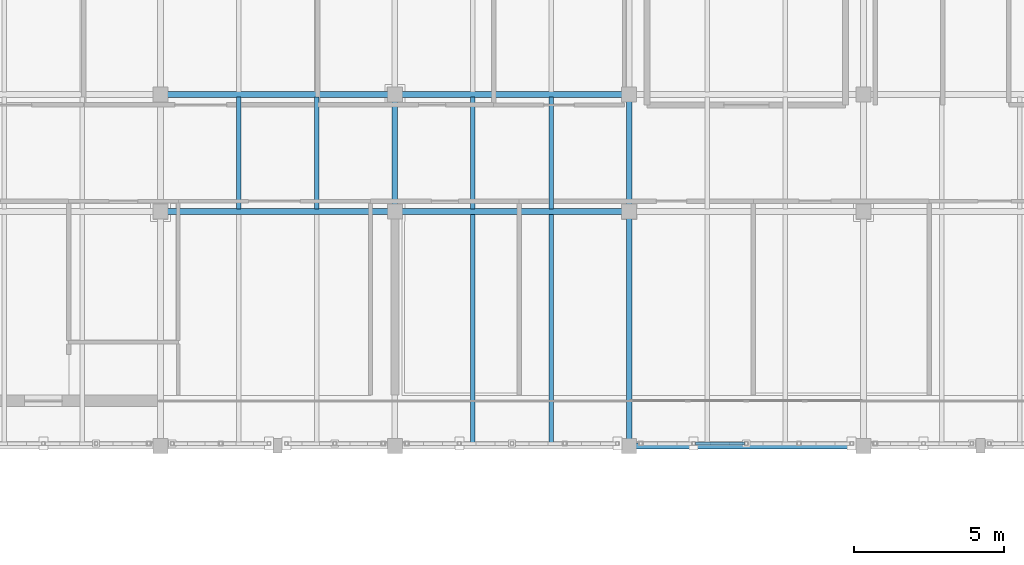
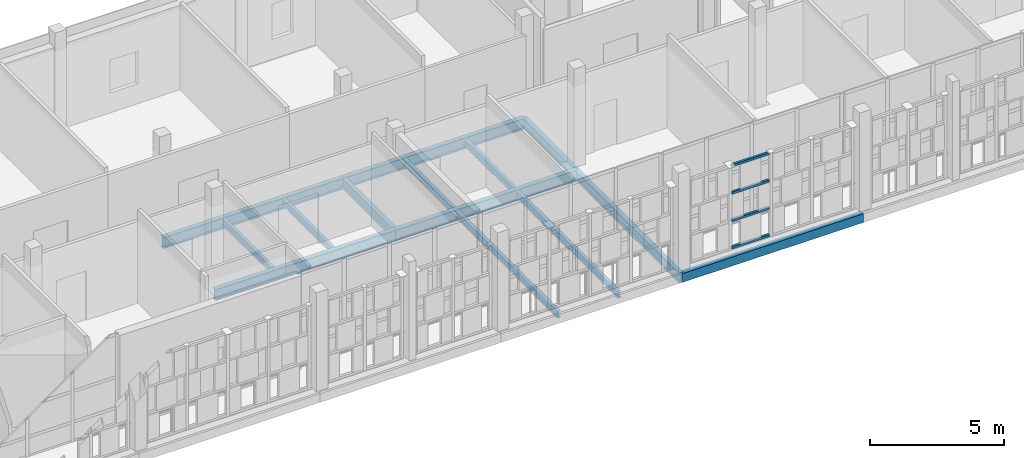
# One storey, part 40 of 89: 14 beams, 4 members.
"""IFC4 building model written with IfcOpenShell, lengths in metres."""

from ifc_helpers import new_model, si_unit, direction, frame, origin, origin_2d, place, context, subcontext, project, spatial, hollow_rectangle, i_section, extrude, material, material_profile, profile_set, type_object, element, save


model = new_model("IFC4")

# Units and contexts
model_context = context("Model", 3, precision=1e-05, world=origin(), true_north=direction((0.0, 1.0)))
body_context = subcontext(model_context, "Body", "Model", "MODEL_VIEW")
ifc_project = project(units=[si_unit("LENGTHUNIT", "METRE"), si_unit("AREAUNIT", "SQUARE_METRE"), si_unit("VOLUMEUNIT", "CUBIC_METRE"), si_unit("PLANEANGLEUNIT", "RADIAN"), si_unit("MASSUNIT", "GRAM", prefix="KILO")], contexts=[model_context])

# Site, building, storey
site_placement = place(None, origin())
site = spatial("IfcSite", under=ifc_project, at=site_placement, CompositionType="ELEMENT")
building_placement = place(site_placement, origin())
building = spatial("IfcBuilding", under=site, at=building_placement, Name="Celorna Specialist Clinic", CompositionType="ELEMENT")
storey_placement = place(building_placement, frame((0.0, 0.0, 14.10009765625)))
storey = spatial("IfcBuildingStorey", under=building, at=storey_placement, Name="L03", CompositionType="ELEMENT", Elevation=14.10009765625)

# Beams
ifc_material = material(Name="Steel S355", Category="steel")
ifc_material_profile_1 = material_profile(ifc_material, i_section(OverallWidth=0.199951171875, OverallDepth=0.5, WebThickness=0.01025390625, FlangeThickness=0.01611328125, at=origin_2d()), Name="IPE 500")
ifc_profile_set_1 = profile_set([ifc_material_profile_1], Name="Steel S355")
beam_type_1 = type_object("IfcBeamType", Name="BM-08", PredefinedType="BEAM", material=ifc_profile_set_1)
beam_1_placement = place(storey_placement, frame((93.60009765625, 104.300048828125, -0.510009765625), z_axis=(1.0, 0.0, 0.0), x_axis=(0.0, 1.0, 0.0)))
element("IfcBeam", 1, at=beam_1_placement, inside=storey, type_object=beam_type_1, Name="Primary girder BM-08 #1218", PredefinedType="BEAM", context=body_context, shape_type="SweptSolid", body=[
    extrude(i_section(OverallWidth=0.199951171875, OverallDepth=0.5, WebThickness=0.01025390625, FlangeThickness=0.01611328125, at=origin_2d()), origin(), (0.0, 0.0, 1.0), 7.7998046875),
])
beam_2_placement = place(storey_placement, frame((101.39990234375, 104.300048828125, -0.510009765625), z_axis=(1.0, 0.0, 0.0), x_axis=(0.0, 1.0, 0.0)))
element("IfcBeam", 2, at=beam_2_placement, inside=storey, type_object=beam_type_1, Name="Primary girder BM-08 #1219", PredefinedType="BEAM", context=body_context, shape_type="SweptSolid", body=[
    extrude(i_section(OverallWidth=0.199951171875, OverallDepth=0.5, WebThickness=0.01025390625, FlangeThickness=0.01611328125, at=origin_2d()), origin(), (0.0, 0.0, 1.0), 7.800048828125),
])
beam_3_placement = place(storey_placement, frame((93.60009765625, 108.199951171875, -0.510009765625), z_axis=(1.0, 0.0, 0.0), x_axis=(0.0, 1.0, 0.0)))
element("IfcBeam", 3, at=beam_3_placement, inside=storey, type_object=beam_type_1, Name="Primary girder BM-08 #1229", PredefinedType="BEAM", context=body_context, shape_type="SweptSolid", body=[
    extrude(i_section(OverallWidth=0.199951171875, OverallDepth=0.5, WebThickness=0.01025390625, FlangeThickness=0.01611328125, at=origin_2d()), origin(), (0.0, 0.0, 1.0), 7.7998046875),
])
beam_4_placement = place(storey_placement, frame((101.39990234375, 108.199951171875, -0.510009765625), z_axis=(1.0, 0.0, 0.0), x_axis=(0.0, 1.0, 0.0)))
element("IfcBeam", 4, at=beam_4_placement, inside=storey, type_object=beam_type_1, Name="Primary girder BM-08 #1230", PredefinedType="BEAM", context=body_context, shape_type="SweptSolid", body=[
    extrude(i_section(OverallWidth=0.199951171875, OverallDepth=0.5, WebThickness=0.01025390625, FlangeThickness=0.01611328125, at=origin_2d()), origin(), (0.0, 0.0, 1.0), 7.800048828125),
])
ifc_material_profile_2 = material_profile(ifc_material, i_section(OverallWidth=0.18994140625, OverallDepth=0.449951171875, WebThickness=0.009521484375, FlangeThickness=0.0146484375, at=origin_2d()), Name="IPE 450")
ifc_profile_set_2 = profile_set([ifc_material_profile_2], Name="Steel S355")
beam_type_2 = type_object("IfcBeamType", Name="BM-09", PredefinedType="BEAM", material=ifc_profile_set_2)
beam_5_placement = place(storey_placement, frame((101.39990234375, 104.300048828125, -0.485107421875), z_axis=(0.0, 1.0, 0.0), x_axis=(-1.0, 0.0, 0.0)))
element("IfcBeam", 5, at=beam_5_placement, inside=storey, type_object=beam_type_2, Name="Transverse girder BM-09 #1267", PredefinedType="BEAM", context=body_context, shape_type="SweptSolid", body=[
    extrude(i_section(OverallWidth=0.18994140625, OverallDepth=0.449951171875, WebThickness=0.009521484375, FlangeThickness=0.0146484375, at=origin_2d()), origin(), (0.0, 0.0, 1.0), 3.89990234375),
])
beam_6_placement = place(storey_placement, frame((109.199951171875, 96.5, -0.485107421875), z_axis=(0.0, 1.0, 0.0), x_axis=(-1.0, 0.0, 0.0)))
element("IfcBeam", 6, at=beam_6_placement, inside=storey, type_object=beam_type_2, Name="Transverse girder BM-09 #1269", PredefinedType="BEAM", context=body_context, shape_type="SweptSolid", body=[
    extrude(i_section(OverallWidth=0.18994140625, OverallDepth=0.449951171875, WebThickness=0.009521484375, FlangeThickness=0.0146484375, at=origin_2d()), origin(), (0.0, 0.0, 1.0), 7.800048828125),
])
beam_7_placement = place(storey_placement, frame((109.199951171875, 104.300048828125, -0.485107421875), z_axis=(0.0, 1.0, 0.0), x_axis=(-1.0, 0.0, 0.0)))
element("IfcBeam", 7, at=beam_7_placement, inside=storey, type_object=beam_type_2, Name="Transverse girder BM-09 #1270", PredefinedType="BEAM", context=body_context, shape_type="SweptSolid", body=[
    extrude(i_section(OverallWidth=0.18994140625, OverallDepth=0.449951171875, WebThickness=0.009521484375, FlangeThickness=0.0146484375, at=origin_2d()), origin(), (0.0, 0.0, 1.0), 3.89990234375),
])
ifc_material_profile_3 = material_profile(ifc_material, i_section(OverallWidth=0.14990234375, OverallDepth=0.300048828125, WebThickness=0.007080078125, FlangeThickness=0.0107421875, at=origin_2d()), Name="IPE 300")
ifc_profile_set_3 = profile_set([ifc_material_profile_3], Name="Steel S355")
beam_type_3 = type_object("IfcBeamType", Name="BM-13", PredefinedType="JOIST", material=ifc_profile_set_3)
for number, where, z_axis, x_axis, name in (
    (8, (96.199951171875, 104.387939453125, -0.41015625), (0.0, 1.0, 0.0), (-1.0, 0.0, 0.0), "Secondary floor joist BM-13 #1313"),
    (9, (98.800048828125, 104.387939453125, -0.41015625), (0.0, 1.0, 0.0), (-1.0, 0.0, 0.0), "Secondary floor joist BM-13 #1314"),
):
    element("IfcBeam", number, at=place(storey_placement, frame(where, z_axis=z_axis, x_axis=x_axis)), inside=storey, type_object=beam_type_3, Name=name, PredefinedType="JOIST", context=body_context, shape_type="SweptSolid", body=[
        extrude(i_section(OverallWidth=0.14990234375, OverallDepth=0.300048828125, WebThickness=0.007080078125, FlangeThickness=0.0107421875, at=origin_2d()), origin(), (0.0, 0.0, 1.0), 3.72412109375),
    ])
for number, where, z_axis, x_axis, name in (
    (10, (104.0, 96.587890625, -0.41015625), (0.0, 1.0, 0.0), (-1.0, 0.0, 0.0), "Secondary floor joist BM-13 #1317"),
    (11, (106.60009765625, 96.587890625, -0.41015625), (0.0, 1.0, 0.0), (-1.0, 0.0, 0.0), "Secondary floor joist BM-13 #1318"),
):
    element("IfcBeam", number, at=place(storey_placement, frame(where, z_axis=z_axis, x_axis=x_axis)), inside=storey, type_object=beam_type_3, Name=name, PredefinedType="JOIST", context=body_context, shape_type="SweptSolid", body=[
        extrude(i_section(OverallWidth=0.14990234375, OverallDepth=0.300048828125, WebThickness=0.007080078125, FlangeThickness=0.0107421875, at=origin_2d()), origin(), (0.0, 0.0, 1.0), 7.6240234375),
    ])
for number, where, z_axis, x_axis, name in (
    (12, (104.0, 104.387939453125, -0.41015625), (0.0, 1.0, 0.0), (-1.0, 0.0, 0.0), "Secondary floor joist BM-13 #1319"),
    (13, (106.60009765625, 104.387939453125, -0.41015625), (0.0, 1.0, 0.0), (-1.0, 0.0, 0.0), "Secondary floor joist BM-13 #1320"),
):
    element("IfcBeam", number, at=place(storey_placement, frame(where, z_axis=z_axis, x_axis=x_axis)), inside=storey, type_object=beam_type_3, Name=name, PredefinedType="JOIST", context=body_context, shape_type="SweptSolid", body=[
        extrude(i_section(OverallWidth=0.14990234375, OverallDepth=0.300048828125, WebThickness=0.007080078125, FlangeThickness=0.0107421875, at=origin_2d()), origin(), (0.0, 0.0, 1.0), 3.72412109375),
    ])
ifc_material_profile_4 = material_profile(ifc_material, hollow_rectangle(XDim=0.199951171875, YDim=0.39990234375, WallThickness=0.011962890625, at=origin_2d()), Name="RHS 200x400x12")
ifc_profile_set_4 = profile_set([ifc_material_profile_4], Name="Steel S355")
beam_type_4 = type_object("IfcBeamType", Name="BM-15", PredefinedType="SPANDREL", material=ifc_profile_set_4)
beam_8_placement = place(storey_placement, frame((109.199951171875, 96.5, -0.460205078125), z_axis=(1.0, 0.0, 0.0), x_axis=(0.0, 1.0, 0.0)))
element("IfcBeam", 14, at=beam_8_placement, inside=storey, type_object=beam_type_4, Name="Spandrel beam BM-15 #1209", PredefinedType="SPANDREL", context=body_context, shape_type="SweptSolid", body=[
    extrude(hollow_rectangle(XDim=0.199951171875, YDim=0.39990234375, WallThickness=0.011962890625, at=origin_2d()), origin(), (0.0, 0.0, 1.0), 7.800048828125),
])

# Members
ifc_material_profile_5 = material_profile(ifc_material, hollow_rectangle(XDim=0.10009765625, YDim=0.10009765625, WallThickness=0.006103515625, at=origin_2d()), Name="SHS 100x100x6")
ifc_profile_set_5 = profile_set([ifc_material_profile_5], Name="Steel S355")
member_type = type_object("IfcMemberType", Name="MB-12", PredefinedType="STUD", material=ifc_profile_set_5)
for number, where, z_axis, x_axis, name in (
    (15, (111.405029296875, 96.580078125, 0.0498046875), (1.0, 0.0, 0.0), (0.0, 1.0, 0.0), "Perforated screen rail #1410"),
    (16, (111.405029296875, 96.580078125, 1.296630859375), (1.0, 0.0, 0.0), (0.0, 1.0, 0.0), "Perforated screen rail #1411"),
    (17, (111.405029296875, 96.580078125, 2.543212890625), (1.0, 0.0, 0.0), (0.0, 1.0, 0.0), "Perforated screen rail #1412"),
    (18, (111.405029296875, 96.580078125, 3.789794921875), (1.0, 0.0, 0.0), (0.0, 1.0, 0.0), "Perforated screen rail #1413"),
):
    element("IfcMember", number, at=place(storey_placement, frame(where, z_axis=z_axis, x_axis=x_axis)), inside=storey, type_object=member_type, Name=name, PredefinedType="STUD", context=body_context, shape_type="SweptSolid", body=[
        extrude(hollow_rectangle(XDim=0.10009765625, YDim=0.10009765625, WallThickness=0.006103515625, at=origin_2d()), origin(), (0.0, 0.0, 1.0), 1.635009765625),
    ])

save(model, "model.ifc")
